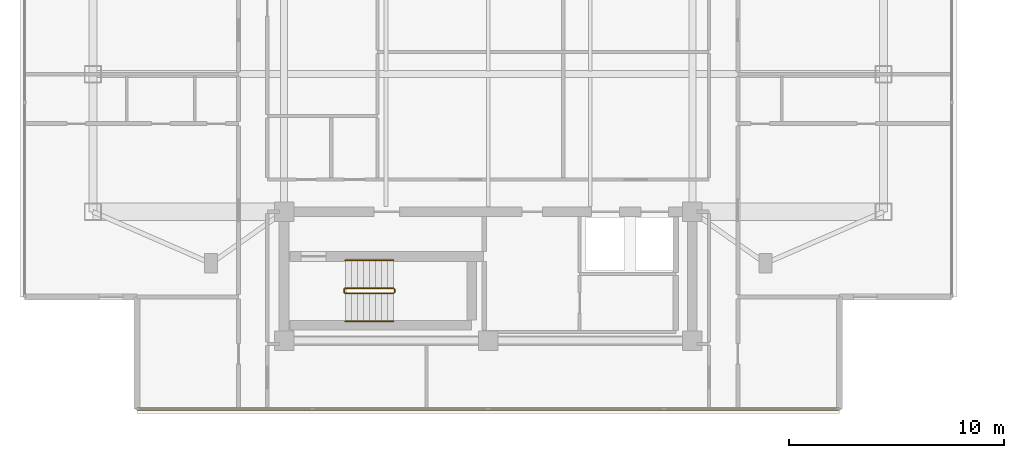
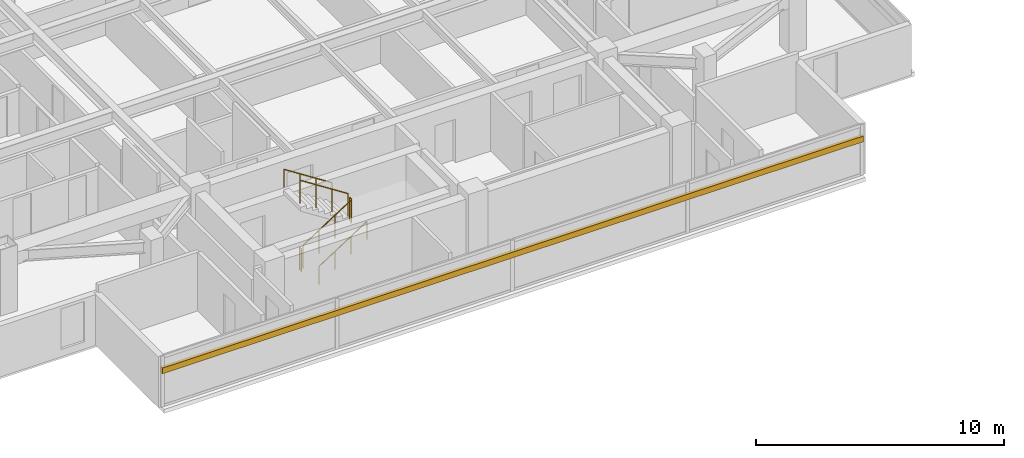
# One storey, part 15 of 17: 6 railings, 1 shading device.
"""IFC4 building model written with IfcOpenShell, lengths in metres."""

from ifc_helpers import new_model, si_unit, direction, frame, origin, origin_2d, place, context, subcontext, project, spatial, rectangle, circle, extrude, material, material_profile, profile_set, type_object, element, save


model = new_model("IFC4")

# Units and contexts
model_context = context("Model", 3, precision=1e-05, world=origin(), true_north=direction((0.0, 1.0)))
body_context = subcontext(model_context, "Body", "Model", "MODEL_VIEW")
ifc_project = project(units=[si_unit("LENGTHUNIT", "METRE"), si_unit("AREAUNIT", "SQUARE_METRE"), si_unit("VOLUMEUNIT", "CUBIC_METRE"), si_unit("PLANEANGLEUNIT", "RADIAN"), si_unit("MASSUNIT", "GRAM", prefix="KILO")], contexts=[model_context])

# Site, building, storey
site_placement = place(None, origin())
site = spatial("IfcSite", under=ifc_project, at=site_placement, CompositionType="ELEMENT")
building_placement = place(site_placement, origin())
building = spatial("IfcBuilding", under=site, at=building_placement, Name="Mirazonda Arch Towers", CompositionType="ELEMENT")
storey_placement = place(building_placement, frame((0.0, 0.0, 209.64990234375)))
storey = spatial("IfcBuildingStorey", under=building, at=storey_placement, Name="L60", CompositionType="ELEMENT", Elevation=209.64990234375)

# Shading device
ifc_material_1 = material(Name="Kiln-Fired Architectural Terracotta", Category="masonry")
ifc_material_profile = material_profile(ifc_material_1, rectangle(XDim=0.139892578125, YDim=0.280029296875, at=origin_2d()), Name="TERRA-BAG-140x280")
ifc_profile_set = profile_set([ifc_material_profile], Name="Kiln-Fired Architectural Terracotta")
shading_device_type = type_object("IfcShadingDeviceType", Name="BAGUETTE-3", PredefinedType="USERDEFINED", material=ifc_profile_set)
shading_device_placement = place(storey_placement, frame((36.85498046875, 9.22607421875, 1.807373046875), z_axis=(-1.0, 0.0, 0.0), x_axis=(0.0, -1.0, 0.0)))
element("IfcShadingDevice", 1, at=shading_device_placement, inside=storey, type_object=shading_device_type, Name="L60 Glazed Terracotta Sun-Screen Baguette CW-L60-T1-S", ObjectType="BAGUETTE", PredefinedType="USERDEFINED", context=body_context, shape_type="SweptSolid", body=[
    extrude(rectangle(XDim=0.139892578125, YDim=0.280029296875, at=origin_2d()), origin(), (0.0, 0.0, 1.0), 32.7099609375),
])

# Railings
ifc_material_2 = material(Name="Architectural Brushed Steel S355", Category="steel")
railing_type_1 = type_object("IfcRailingType", Name="GUARD-STAIR-1120", PredefinedType="GUARDRAIL", material=ifc_material_2)
railing_1_placement = place(storey_placement, frame((13.85009765625, 14.60009765625, 0.1806640625)))
element("IfcRailing", 2, at=railing_1_placement, inside=storey, type_object=railing_type_1, Name="L60 ST-T1S stair guard 1", PredefinedType="GUARDRAIL", context=body_context, shape_type="SweptSolid", body=[
    extrude(circle(Radius=0.02392578125, at=origin_2d()), frame((0.0, 0.0, 1.1259765625), z_axis=(0.840436612492, 0.0, 0.541909863706), x_axis=(0.0, 1.0, 0.0)), (0.0, 0.0, 1.0), 2.665283203125),
    extrude(circle(Radius=0.02099609375, at=origin_2d()), origin(), (0.0, 0.0, 1.0), 1.101806640625),
    extrude(circle(Radius=0.02099609375, at=origin_2d()), frame((0.74658203125, 0.0, 0.4814453125)), (0.0, 0.0, 1.0), 1.101806640625),
    extrude(circle(Radius=0.02099609375, at=origin_2d()), frame((1.493408203125, 0.0, 0.962890625)), (0.0, 0.0, 1.0), 1.101806640625),
    extrude(circle(Radius=0.02099609375, at=origin_2d()), frame((2.239990234375, 0.0, 1.4443359375)), (0.0, 0.0, 1.0), 1.101806640625),
])
railing_2_placement = place(storey_placement, frame((16.139892578125, 14.64990234375, 1.625)))
element("IfcRailing", 3, at=railing_2_placement, inside=storey, type_object=railing_type_1, Name="L60 ST-T1S stair guard 2", PredefinedType="GUARDRAIL", context=body_context, shape_type="SweptSolid", body=[
    extrude(circle(Radius=0.02392578125, at=origin_2d()), frame((0.0, 0.0, 1.1259765625), z_axis=(0.0, 1.0, 0.0), x_axis=(-1.0, 0.0, 0.0)), (0.0, 0.0, 1.0), 0.14013671875),
    extrude(circle(Radius=0.02099609375, at=origin_2d()), origin(), (0.0, 0.0, 1.0), 1.101806640625),
    extrude(circle(Radius=0.02099609375, at=origin_2d()), frame((0.0, 0.14013671875, 0.0)), (0.0, 0.0, 1.0), 1.101806640625),
])
railing_3_placement = place(storey_placement, frame((16.090087890625, 14.840087890625, 1.8056640625)))
element("IfcRailing", 4, at=railing_3_placement, inside=storey, type_object=railing_type_1, Name="L60 ST-T1S stair guard 3", PredefinedType="GUARDRAIL", context=body_context, shape_type="SweptSolid", body=[
    extrude(circle(Radius=0.02392578125, at=origin_2d()), frame((0.0, 0.0, 1.1259765625), z_axis=(-0.840436612492, 0.0, 0.541909863706), x_axis=(0.0, -1.0, 0.0)), (0.0, 0.0, 1.0), 2.665283203125),
    extrude(circle(Radius=0.02099609375, at=origin_2d()), origin(), (0.0, 0.0, 1.0), 1.101806640625),
    extrude(circle(Radius=0.02099609375, at=origin_2d()), frame((-0.74658203125, 0.0, 0.4814453125)), (0.0, 0.0, 1.0), 1.101806640625),
    extrude(circle(Radius=0.02099609375, at=origin_2d()), frame((-1.493408203125, 0.0, 0.962890625)), (0.0, 0.0, 1.0), 1.101806640625),
    extrude(circle(Radius=0.02099609375, at=origin_2d()), frame((-2.239990234375, 0.0, 1.4443359375)), (0.0, 0.0, 1.0), 1.101806640625),
])
railing_4_placement = place(storey_placement, frame((13.800048828125, 14.64990234375, 0.0)))
element("IfcRailing", 5, at=railing_4_placement, inside=storey, type_object=railing_type_1, Name="L60 ST-T1S stair guard 4", PredefinedType="GUARDRAIL", context=body_context, shape_type="SweptSolid", body=[
    extrude(circle(Radius=0.02392578125, at=origin_2d()), frame((0.0, 0.0, 1.1259765625), z_axis=(0.0, 1.0, 0.0), x_axis=(-1.0, 0.0, 0.0)), (0.0, 0.0, 1.0), 0.14013671875),
    extrude(circle(Radius=0.02099609375, at=origin_2d()), origin(), (0.0, 0.0, 1.0), 1.101806640625),
    extrude(circle(Radius=0.02099609375, at=origin_2d()), frame((0.0, 0.14013671875, 0.0)), (0.0, 0.0, 1.0), 1.101806640625),
])
railing_type_2 = type_object("IfcRailingType", Name="HANDRAIL-915", PredefinedType="HANDRAIL", material=ifc_material_2)
railing_5_placement = place(storey_placement, frame((13.85009765625, 13.300048828125, 0.1806640625)))
element("IfcRailing", 6, at=railing_5_placement, inside=storey, type_object=railing_type_2, Name="L60 ST-T1S stair handrail 1", PredefinedType="HANDRAIL", context=body_context, shape_type="SweptSolid", body=[
    extrude(circle(Radius=0.02392578125, at=origin_2d()), frame((0.0, 0.0, 0.8759765625), z_axis=(0.840436612492, 0.0, 0.541909863706), x_axis=(0.0, 1.0, 0.0)), (0.0, 0.0, 1.0), 2.665283203125),
    extrude(circle(Radius=0.02099609375, at=origin_2d()), origin(), (0.0, 0.0, 1.0), 0.851806640625),
    extrude(circle(Radius=0.02099609375, at=origin_2d()), frame((0.74658203125, 0.0, 0.4814453125)), (0.0, 0.0, 1.0), 0.851806640625),
    extrude(circle(Radius=0.02099609375, at=origin_2d()), frame((1.493408203125, 0.0, 0.962890625)), (0.0, 0.0, 1.0), 0.851806640625),
    extrude(circle(Radius=0.02099609375, at=origin_2d()), frame((2.239990234375, 0.0, 1.4443359375)), (0.0, 0.0, 1.0), 0.851806640625),
])
railing_6_placement = place(storey_placement, frame((16.090087890625, 16.139892578125, 1.8056640625)))
element("IfcRailing", 7, at=railing_6_placement, inside=storey, type_object=railing_type_2, Name="L60 ST-T1S stair handrail 2", PredefinedType="HANDRAIL", context=body_context, shape_type="SweptSolid", body=[
    extrude(circle(Radius=0.02392578125, at=origin_2d()), frame((0.0, 0.0, 0.8759765625), z_axis=(-0.840436612492, 0.0, 0.541909863706), x_axis=(0.0, -1.0, 0.0)), (0.0, 0.0, 1.0), 2.665283203125),
    extrude(circle(Radius=0.02099609375, at=origin_2d()), origin(), (0.0, 0.0, 1.0), 0.851806640625),
    extrude(circle(Radius=0.02099609375, at=origin_2d()), frame((-0.74658203125, 0.0, 0.4814453125)), (0.0, 0.0, 1.0), 0.851806640625),
    extrude(circle(Radius=0.02099609375, at=origin_2d()), frame((-1.493408203125, 0.0, 0.962890625)), (0.0, 0.0, 1.0), 0.851806640625),
    extrude(circle(Radius=0.02099609375, at=origin_2d()), frame((-2.239990234375, 0.0, 1.4443359375)), (0.0, 0.0, 1.0), 0.851806640625),
])

save(model, "model.ifc")
